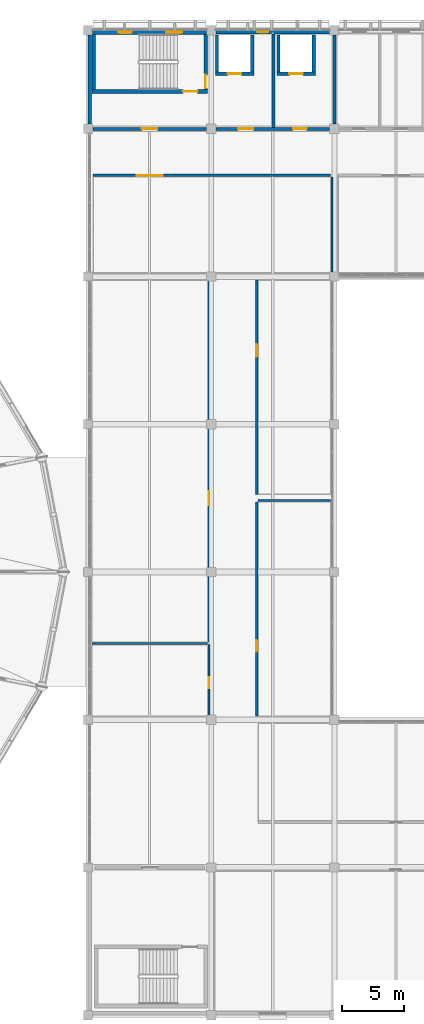
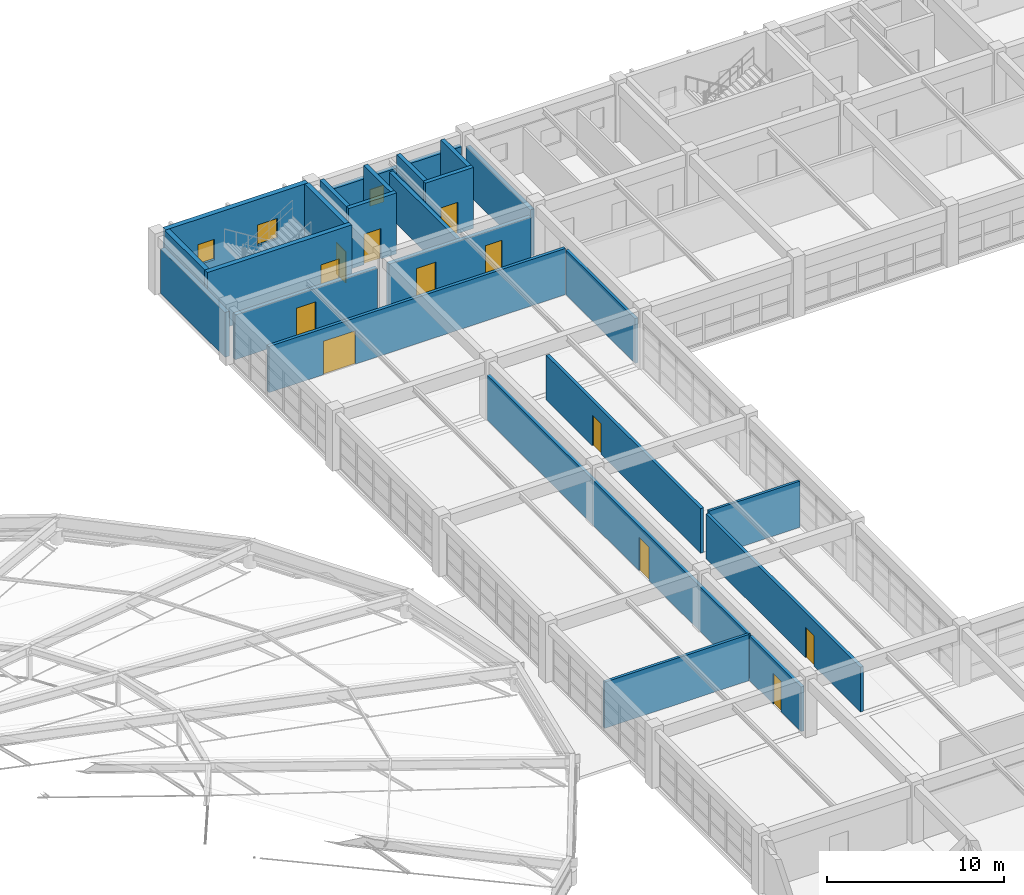
# One storey, part 70 of 83: 24 walls, 12 doors, 3 windows, 15 openings.
"""IFC4 building model written with IfcOpenShell, lengths in metres."""

from ifc_helpers import new_model, si_unit, direction, frame, frame_2d, origin, place, context, subcontext, project, spatial, rectangle, extrude, material, layer, layer_set, type_object, element, fill, save


model = new_model("IFC4")

# Units and contexts
model_context = context("Model", 3, precision=1e-05, world=origin(), true_north=direction((0.0, 1.0)))
body_context = subcontext(model_context, "Body", "Model", "MODEL_VIEW")
ifc_project = project(units=[si_unit("LENGTHUNIT", "METRE"), si_unit("AREAUNIT", "SQUARE_METRE"), si_unit("VOLUMEUNIT", "CUBIC_METRE"), si_unit("PLANEANGLEUNIT", "RADIAN"), si_unit("MASSUNIT", "GRAM", prefix="KILO")], contexts=[model_context])

# Site, building, storey
site_placement = place(None, origin())
site = spatial("IfcSite", under=ifc_project, at=site_placement, CompositionType="ELEMENT")
building_placement = place(site_placement, origin())
building = spatial("IfcBuilding", under=site, at=building_placement, Name="Kivolera Central Railway Station", CompositionType="ELEMENT")
storey_placement = place(building_placement, frame((0.0, 0.0, 14.39990234375)))
storey = spatial("IfcBuildingStorey", under=building, at=storey_placement, Name="L03", CompositionType="ELEMENT", Elevation=14.39990234375)

# Wall, opening, door
ifc_material_1 = material(Name="Swahili coral limestone", Category="masonry")
ifc_layer_1 = layer(ifc_material_1, 0.199951171875, Name="Swahili coral limestone")
ifc_layer_set_1 = layer_set([ifc_layer_1], Name="Swahili coral limestone")
wall_type_1 = type_object("IfcWallType", Name="WL-COR-200", PredefinedType="PARTITIONING", material=ifc_layer_set_1)
wall_1_placement = place(storey_placement, frame((118.39990234375, 122.219970703125, 0.0), z_axis=(0.0, 0.0, 1.0), x_axis=(1.0, 0.0, 0.0)))
wall_1 = element("IfcWall", 1, at=wall_1_placement, inside=storey, type_object=wall_type_1, Name="L03 Kivolera Civic Community Meeting Room Corridor Wall", PredefinedType="PARTITIONING", context=body_context, shape_type="SweptSolid", body=[
    extrude(rectangle(XDim=19.300048828125, YDim=0.199951171875, at=frame_2d((9.64990234375, 0.0))), origin(), (0.0, 0.0, 1.0), 3.177978515625),
])
opening_1_placement = place(wall_1_placement, frame((3.550048828125, 0.0, 0.0)))
opening_1 = element("IfcOpeningElement", 2, at=opening_1_placement, cuts=wall_1, Name="Opening D-DB-07", PredefinedType="OPENING", context=body_context, shape_type="SweptSolid", body=[
    extrude(rectangle(XDim=2.10009765625, YDim=2.300048828125, at=frame_2d((1.050048828125, 1.14990234375))), frame((0.0, 0.10986328125, 0.0), z_axis=(0.0, -1.0, 0.0), x_axis=(1.0, 0.0, 0.0)), (0.0, 0.0, 1.0), 0.219970703125),
])
ifc_material_2 = material(Name="Anodised aluminium", Category="aluminium")
door_type_1 = type_object("IfcDoorType", Name="DR-D-DB-07", OperationType="NOTDEFINED", PredefinedType="DOOR", material=ifc_material_2)
door_1_placement = place(opening_1_placement, origin())
door_1 = element("IfcDoor", 3, at=door_1_placement, inside=storey, type_object=door_type_1, Name="L03 Kivolera Civic Community Meeting Room Door", OperationType="DOUBLE_DOOR_SINGLE_SWING", OverallHeight=2.300048828125, OverallWidth=2.10009765625, PredefinedType="DOOR", context=body_context, shape_type="SweptSolid", body=[
    extrude(rectangle(XDim=2.10009765625, YDim=2.300048828125, at=frame_2d((1.050048828125, 1.14990234375))), frame((0.0, 0.02490234375, 0.0), z_axis=(0.0, -1.0, 0.0), x_axis=(1.0, 0.0, 0.0)), (0.0, 0.0, 1.0), 0.050048828125),
])
fill(opening_1, door_1)

wall_2_placement = place(storey_placement, frame((127.820068359375, 84.300048828125, 0.0), z_axis=(0.0, 0.0, 1.0), x_axis=(0.0, 1.0, 0.0)))
wall_2 = element("IfcWall", 4, at=wall_2_placement, inside=storey, type_object=wall_type_1, Name="L03 Passenger Quiet Reading Lounge Corridor Wall", PredefinedType="PARTITIONING", context=body_context, shape_type="SweptSolid", body=[
    extrude(rectangle(XDim=29.39990234375, YDim=0.199951171875, at=frame_2d((14.699951171875, 0.0))), origin(), (0.0, 0.0, 1.0), 3.078125),
])
opening_2_placement = place(wall_2_placement, frame((11.125, 0.0, 0.0)))
opening_2 = element("IfcOpeningElement", 5, at=opening_2_placement, cuts=wall_2, Name="Opening D-SG-15", PredefinedType="OPENING", context=body_context, shape_type="SweptSolid", body=[
    extrude(rectangle(XDim=1.14990234375, YDim=2.300048828125, at=frame_2d((0.574951171875, 1.14990234375))), frame((0.0, 0.10986328125, 0.0), z_axis=(0.0, -1.0, 0.0), x_axis=(1.0, 0.0, 0.0)), (0.0, 0.0, 1.0), 0.219970703125),
])
ifc_material_3 = material(Name="Hardwood mvule timber", Category="wood")
door_type_2 = type_object("IfcDoorType", Name="DR-D-SG-15", OperationType="NOTDEFINED", PredefinedType="DOOR", material=ifc_material_3)
door_2_placement = place(opening_2_placement, origin())
door_2 = element("IfcDoor", 6, at=door_2_placement, inside=storey, type_object=door_type_2, Name="L03 Passenger Quiet Reading Lounge Door", OperationType="SINGLE_SWING_RIGHT", OverallHeight=2.300048828125, OverallWidth=1.14990234375, PredefinedType="DOOR", context=body_context, shape_type="SweptSolid", body=[
    extrude(rectangle(XDim=1.14990234375, YDim=2.300048828125, at=frame_2d((0.574951171875, 1.14990234375))), frame((0.0, 0.02490234375, 0.0), z_axis=(0.0, -1.0, 0.0), x_axis=(1.0, 0.0, 0.0)), (0.0, 0.0, 1.0), 0.050048828125),
])
fill(opening_2, door_2)

wall_3_placement = place(storey_placement, frame((127.820068359375, 78.300048828125, 0.0), z_axis=(0.0, 0.0, 1.0), x_axis=(0.0, 1.0, 0.0)))
wall_3 = element("IfcWall", 7, at=wall_3_placement, inside=storey, type_object=wall_type_1, Name="L03 Civic Refreshment Pantry Cafe Corridor Wall", PredefinedType="PARTITIONING", context=body_context, shape_type="SweptSolid", body=[
    extrude(rectangle(XDim=5.800048828125, YDim=0.199951171875, at=frame_2d((2.89990234375, 0.0))), origin(), (0.0, 0.0, 1.0), 3.078125),
])
opening_3_placement = place(wall_3_placement, frame((2.25, 0.0, 0.0)))
opening_3 = element("IfcOpeningElement", 8, at=opening_3_placement, cuts=wall_3, Name="Opening D-SG-01", PredefinedType="OPENING", context=body_context, shape_type="SweptSolid", body=[
    extrude(rectangle(XDim=0.89990234375, YDim=2.10009765625, at=frame_2d((0.449951171875, 1.050048828125))), frame((0.0, 0.10986328125, 0.0), z_axis=(0.0, -1.0, 0.0), x_axis=(1.0, 0.0, 0.0)), (0.0, 0.0, 1.0), 0.219970703125),
])
door_type_3 = type_object("IfcDoorType", Name="DR-D-SG-01", OperationType="NOTDEFINED", PredefinedType="DOOR", material=ifc_material_3)
door_3_placement = place(opening_3_placement, origin())
door_3 = element("IfcDoor", 9, at=door_3_placement, inside=storey, type_object=door_type_3, Name="L03 Civic Refreshment Pantry Cafe Door", OperationType="SINGLE_SWING_LEFT", OverallHeight=2.10009765625, OverallWidth=0.89990234375, PredefinedType="DOOR", context=body_context, shape_type="SweptSolid", body=[
    extrude(rectangle(XDim=0.89990234375, YDim=2.10009765625, at=frame_2d((0.449951171875, 1.050048828125))), frame((0.0, 0.02490234375, 0.0), z_axis=(0.0, -1.0, 0.0), x_axis=(1.0, 0.0, 0.0)), (0.0, 0.0, 1.0), 0.050048828125),
])
fill(opening_3, door_3)

wall_4_placement = place(storey_placement, frame((131.679931640625, 78.300048828125, 0.0), z_axis=(0.0, 0.0, 1.0), x_axis=(0.0, 1.0, 0.0)))
wall_4 = element("IfcWall", 10, at=wall_4_placement, inside=storey, type_object=wall_type_1, Name="L03 Community Workshop Studio Corridor Wall", PredefinedType="PARTITIONING", context=body_context, shape_type="SweptSolid", body=[
    extrude(rectangle(XDim=17.39990234375, YDim=0.199951171875, at=frame_2d((8.699951171875, 0.0))), origin(), (0.0, 0.0, 1.0), 3.078125),
])
opening_4_placement = place(wall_4_placement, frame((5.22509765625, 0.0, 0.0)))
opening_4 = element("IfcOpeningElement", 11, at=opening_4_placement, cuts=wall_4, Name="Opening D-SG-02", PredefinedType="OPENING", context=body_context, shape_type="SweptSolid", body=[
    extrude(rectangle(XDim=0.949951171875, YDim=2.10009765625, at=frame_2d((0.47509765625, 1.050048828125))), frame((0.0, 0.10986328125, 0.0), z_axis=(0.0, -1.0, 0.0), x_axis=(1.0, 0.0, 0.0)), (0.0, 0.0, 1.0), 0.219970703125),
])
door_type_4 = type_object("IfcDoorType", Name="DR-D-SG-02", OperationType="NOTDEFINED", PredefinedType="DOOR", material=ifc_material_3)
door_4_placement = place(opening_4_placement, origin())
door_4 = element("IfcDoor", 12, at=door_4_placement, inside=storey, type_object=door_type_4, Name="L03 Community Workshop Studio Door", OperationType="SINGLE_SWING_RIGHT", OverallHeight=2.10009765625, OverallWidth=0.949951171875, PredefinedType="DOOR", context=body_context, shape_type="SweptSolid", body=[
    extrude(rectangle(XDim=0.949951171875, YDim=2.10009765625, at=frame_2d((0.47509765625, 1.050048828125))), frame((0.0, 0.02490234375, 0.0), z_axis=(0.0, -1.0, 0.0), x_axis=(1.0, 0.0, 0.0)), (0.0, 0.0, 1.0), 0.050048828125),
])
fill(opening_4, door_4)

wall_5_placement = place(storey_placement, frame((131.679931640625, 96.300048828125, 0.0), z_axis=(0.0, 0.0, 1.0), x_axis=(0.0, 1.0, 0.0)))
wall_5 = element("IfcWall", 13, at=wall_5_placement, inside=storey, type_object=wall_type_1, Name="L03 Urban Mobility Seminar Classroom Corridor Wall", PredefinedType="PARTITIONING", context=body_context, shape_type="SweptSolid", body=[
    extrude(rectangle(XDim=17.39990234375, YDim=0.199951171875, at=frame_2d((8.699951171875, 0.0))), origin(), (0.0, 0.0, 1.0), 3.078125),
])
opening_5_placement = place(wall_5_placement, frame((11.199951171875, 0.0, 0.0)))
opening_5 = element("IfcOpeningElement", 14, at=opening_5_placement, cuts=wall_5, Name="Opening D-SG-03", PredefinedType="OPENING", context=body_context, shape_type="SweptSolid", body=[
    extrude(rectangle(XDim=1.0, YDim=2.10009765625, at=frame_2d((0.5, 1.050048828125))), frame((0.0, 0.10986328125, 0.0), z_axis=(0.0, -1.0, 0.0), x_axis=(1.0, 0.0, 0.0)), (0.0, 0.0, 1.0), 0.219970703125),
])
door_type_5 = type_object("IfcDoorType", Name="DR-D-SG-03", OperationType="NOTDEFINED", PredefinedType="DOOR", material=ifc_material_3)
door_5_placement = place(opening_5_placement, origin())
door_5 = element("IfcDoor", 15, at=door_5_placement, inside=storey, type_object=door_type_5, Name="L03 Urban Mobility Seminar Classroom Door", OperationType="SINGLE_SWING_LEFT", OverallHeight=2.10009765625, OverallWidth=1.0, PredefinedType="DOOR", context=body_context, shape_type="SweptSolid", body=[
    extrude(rectangle(XDim=1.0, YDim=2.10009765625, at=frame_2d((0.5, 1.050048828125))), frame((0.0, 0.02490234375, 0.0), z_axis=(0.0, -1.0, 0.0), x_axis=(1.0, 0.0, 0.0)), (0.0, 0.0, 1.0), 0.050048828125),
])
fill(opening_5, door_5)

ifc_material_4 = material(Name="Concrete C40/50", Category="concrete")
ifc_layer_2 = layer(ifc_material_4, 0.300048828125, Name="Concrete C40/50")
ifc_layer_set_2 = layer_set([ifc_layer_2], Name="Concrete C40/50")
wall_type_2 = type_object("IfcWallType", Name="WL-CORE-300", PredefinedType="SHEAR", material=ifc_layer_set_2)
wall_6_placement = place(storey_placement, frame((127.699951171875, 129.030029296875, 0.0), z_axis=(0.0, 0.0, 1.0), x_axis=(-1.0, 0.0, 0.0)))
wall_6 = element("IfcWall", 16, at=wall_6_placement, inside=storey, type_object=wall_type_2, Name="L03 ST1 Core Right Shear Wall", PredefinedType="SHEAR", context=body_context, shape_type="SweptSolid", body=[
    extrude(rectangle(XDim=9.39990234375, YDim=0.300048828125, at=frame_2d((4.699951171875, 0.0))), origin(), (0.0, 0.0, 1.0), 4.2001953125),
])
opening_6_placement = place(wall_6_placement, frame((0.800048828125, 0.0, 0.0)))
opening_6 = element("IfcOpeningElement", 17, at=opening_6_placement, cuts=wall_6, Name="Opening D-STAIR-1200", PredefinedType="OPENING", context=body_context, shape_type="SweptSolid", body=[
    extrude(rectangle(XDim=1.199951171875, YDim=2.14990234375, at=frame_2d((0.60009765625, 1.074951171875))), frame((0.0, 0.159912109375, 0.0), z_axis=(0.0, -1.0, 0.0), x_axis=(1.0, 0.0, 0.0)), (0.0, 0.0, 1.0), 0.320068359375),
])
door_type_6 = type_object("IfcDoorType", Name="DR-D-STAIR-1200", OperationType="NOTDEFINED", PredefinedType="DOOR", material=ifc_material_3)
door_6_placement = place(opening_6_placement, origin())
door_6 = element("IfcDoor", 18, at=door_6_placement, inside=storey, type_object=door_type_6, Name="L03 ST1 Vestibule Fire Door", OperationType="SINGLE_SWING_LEFT", OverallHeight=2.14990234375, OverallWidth=1.199951171875, PredefinedType="DOOR", context=body_context, shape_type="SweptSolid", body=[
    extrude(rectangle(XDim=1.199951171875, YDim=2.14990234375, at=frame_2d((0.60009765625, 1.074951171875))), frame((0.0, 0.02490234375, 0.0), z_axis=(0.0, -1.0, 0.0), x_axis=(1.0, 0.0, 0.0)), (0.0, 0.0, 1.0), 0.050048828125),
])
fill(opening_6, door_6)

wall_7_placement = place(storey_placement, frame((127.550048828125, 133.679931640625, 0.0), z_axis=(0.0, 0.0, 1.0), x_axis=(0.0, -1.0, 0.0)))
wall_7 = element("IfcWall", 19, at=wall_7_placement, inside=storey, type_object=wall_type_2, Name="L03 ST1 Core Near Shear Wall", PredefinedType="SHEAR", context=body_context, shape_type="SweptSolid", body=[
    extrude(rectangle(XDim=4.5, YDim=0.300048828125, at=frame_2d((2.25, 0.0))), origin(), (0.0, 0.0, 1.0), 4.2001953125),
])
opening_7_placement = place(wall_7_placement, frame((3.300048828125, 0.0, 0.0)))
opening_7 = element("IfcOpeningElement", 20, at=opening_7_placement, cuts=wall_7, Name="Opening D-FFL-1100", PredefinedType="OPENING", context=body_context, shape_type="SweptSolid", body=[
    extrude(rectangle(XDim=1.10009765625, YDim=2.14990234375, at=frame_2d((0.550048828125, 1.074951171875))), frame((0.0, 0.159912109375, 0.0), z_axis=(0.0, -1.0, 0.0), x_axis=(1.0, 0.0, 0.0)), (0.0, 0.0, 1.0), 0.320068359375),
])
door_type_7 = type_object("IfcDoorType", Name="DR-D-FFL-1100", OperationType="NOTDEFINED", PredefinedType="DOOR", material=ifc_material_3)
door_7_placement = place(opening_7_placement, origin())
door_7 = element("IfcDoor", 21, at=door_7_placement, inside=storey, type_object=door_type_7, Name="L03 Firefighting Lobby to ST1 Fire Door", OperationType="SINGLE_SWING_RIGHT", OverallHeight=2.14990234375, OverallWidth=1.10009765625, PredefinedType="DOOR", context=body_context, shape_type="SweptSolid", body=[
    extrude(rectangle(XDim=1.10009765625, YDim=2.14990234375, at=frame_2d((0.550048828125, 1.074951171875))), frame((0.0, 0.02490234375, 0.0), z_axis=(0.0, -1.0, 0.0), x_axis=(1.0, 0.0, 0.0)), (0.0, 0.0, 1.0), 0.050048828125),
])
fill(opening_7, door_7)

# Wall
wall_8_placement = place(storey_placement, frame((118.449951171875, 129.179931640625, 0.0), z_axis=(0.0, 0.0, 1.0), x_axis=(0.0, 1.0, 0.0)))
element("IfcWall", 22, at=wall_8_placement, inside=storey, type_object=wall_type_2, Name="L03 ST1 Core Far Shear Wall", PredefinedType="SHEAR", context=body_context, shape_type="SweptSolid", body=[
    extrude(rectangle(XDim=4.5, YDim=0.300048828125, at=frame_2d((2.25, 0.0))), origin(), (0.0, 0.0, 1.0), 4.2001953125),
])

# Wall, openings, windows
ifc_layer_3 = layer(ifc_material_4, 0.320068359375, Name="Concrete C40/50")
ifc_layer_set_3 = layer_set([ifc_layer_3], Name="Concrete C40/50")
wall_type_3 = type_object("IfcWallType", Name="WL-CORE-EXT-320", PredefinedType="SHEAR", material=ifc_layer_set_3)
wall_9_placement = place(storey_placement, frame((118.3701171875, 133.840087890625, 0.0), z_axis=(0.0, 0.0, 1.0), x_axis=(1.0, 0.0, 0.0)))
wall_9 = element("IfcWall", 23, at=wall_9_placement, inside=storey, type_object=wall_type_3, Name="L03 North Street Facade Wall Bay 1", PredefinedType="SHEAR", context=body_context, shape_type="SweptSolid", body=[
    extrude(rectangle(XDim=9.259765625, YDim=0.320068359375, at=frame_2d((4.6298828125, 0.0))), origin(), (0.0, 0.0, 1.0), 4.2001953125),
])
opening_8_placement = place(wall_9_placement, frame((2.080078125, 0.0, 1.050048828125)))
opening_8 = element("IfcOpeningElement", 24, at=opening_8_placement, cuts=wall_9, Name="Opening WN-14", PredefinedType="OPENING", context=body_context, shape_type="SweptSolid", body=[
    extrude(rectangle(XDim=1.10009765625, YDim=1.39990234375, at=frame_2d((0.550048828125, 0.699951171875))), frame((0.0, 0.169921875, 0.0), z_axis=(0.0, -1.0, 0.0), x_axis=(1.0, 0.0, 0.0)), (0.0, 0.0, 1.0), 0.340087890625),
])
opening_9_placement = place(wall_9_placement, frame((5.97998046875, 0.0, 1.050048828125)))
opening_9 = element("IfcOpeningElement", 25, at=opening_9_placement, cuts=wall_9, Name="Opening WN-15", PredefinedType="OPENING", context=body_context, shape_type="SweptSolid", body=[
    extrude(rectangle(XDim=1.300048828125, YDim=1.39990234375, at=frame_2d((0.64990234375, 0.699951171875))), frame((0.0, 0.169921875, 0.0), z_axis=(0.0, -1.0, 0.0), x_axis=(1.0, 0.0, 0.0)), (0.0, 0.0, 1.0), 0.340087890625),
])
ifc_material_5 = material(Name="Double low-E laminated glass", Category="glass")
window_type_1 = type_object("IfcWindowType", Name="WIN-WN-14", PartitioningType="SINGLE_PANEL", PredefinedType="WINDOW", material=ifc_material_5)
window_1_placement = place(opening_8_placement, origin())
window_1 = element("IfcWindow", 26, at=window_1_placement, inside=storey, type_object=window_type_1, Name="L03 North Street Window Bay 1.1", OverallHeight=1.39990234375, OverallWidth=1.10009765625, PartitioningType="SINGLE_PANEL", PredefinedType="WINDOW", context=body_context, shape_type="SweptSolid", body=[
    extrude(rectangle(XDim=1.10009765625, YDim=1.39990234375, at=frame_2d((0.550048828125, 0.699951171875))), frame((0.0, 0.030029296875, 0.0), z_axis=(0.0, -1.0, 0.0), x_axis=(1.0, 0.0, 0.0)), (0.0, 0.0, 1.0), 0.06005859375),
])
fill(opening_8, window_1)
window_type_2 = type_object("IfcWindowType", Name="WIN-WN-15", PartitioningType="SINGLE_PANEL", PredefinedType="WINDOW", material=ifc_material_5)
window_2_placement = place(opening_9_placement, origin())
window_2 = element("IfcWindow", 27, at=window_2_placement, inside=storey, type_object=window_type_2, Name="L03 North Street Window Bay 1.2", OverallHeight=1.39990234375, OverallWidth=1.300048828125, PartitioningType="SINGLE_PANEL", PredefinedType="WINDOW", context=body_context, shape_type="SweptSolid", body=[
    extrude(rectangle(XDim=1.300048828125, YDim=1.39990234375, at=frame_2d((0.64990234375, 0.699951171875))), frame((0.0, 0.030029296875, 0.0), z_axis=(0.0, -1.0, 0.0), x_axis=(1.0, 0.0, 0.0)), (0.0, 0.0, 1.0), 0.06005859375),
])
fill(opening_9, window_2)

# Wall, opening, window
ifc_layer_4 = layer(ifc_material_1, 0.2900390625, Name="Swahili coral limestone")
ifc_layer_set_4 = layer_set([ifc_layer_4], Name="Swahili coral limestone")
wall_type_4 = type_object("IfcWallType", Name="WL-EXT-CORAL-290", PredefinedType="SOLIDWALL", material=ifc_layer_set_4)
wall_10_placement = place(storey_placement, frame((128.3701171875, 133.85498046875, 0.0), z_axis=(0.0, 0.0, 1.0), x_axis=(1.0, 0.0, 0.0)))
wall_10 = element("IfcWall", 28, at=wall_10_placement, inside=storey, type_object=wall_type_4, Name="L03 North Street Facade Wall Bay 2", PredefinedType="SOLIDWALL", context=body_context, shape_type="SweptSolid", body=[
    extrude(rectangle(XDim=9.259765625, YDim=0.2900390625, at=frame_2d((4.6298828125, 0.0))), origin(), (0.0, 0.0, 1.0), 3.177978515625),
])
opening_10_placement = place(wall_10_placement, frame((3.3798828125, 0.0, 1.050048828125)))
opening_10 = element("IfcOpeningElement", 29, at=opening_10_placement, cuts=wall_10, Name="Opening WN-01", PredefinedType="OPENING", context=body_context, shape_type="SweptSolid", body=[
    extrude(rectangle(XDim=0.89990234375, YDim=1.14990234375, at=frame_2d((0.449951171875, 0.574951171875))), frame((0.0, 0.155029296875, 0.0), z_axis=(0.0, -1.0, 0.0), x_axis=(1.0, 0.0, 0.0)), (0.0, 0.0, 1.0), 0.31005859375),
])
window_type_3 = type_object("IfcWindowType", Name="WIN-WN-01", PartitioningType="SINGLE_PANEL", PredefinedType="WINDOW", material=ifc_material_5)
window_3_placement = place(opening_10_placement, origin())
window_3 = element("IfcWindow", 30, at=window_3_placement, inside=storey, type_object=window_type_3, Name="L03 North Street Window Bay 2.1", OverallHeight=1.14990234375, OverallWidth=0.89990234375, PartitioningType="SINGLE_PANEL", PredefinedType="WINDOW", context=body_context, shape_type="SweptSolid", body=[
    extrude(rectangle(XDim=0.89990234375, YDim=1.14990234375, at=frame_2d((0.449951171875, 0.574951171875))), frame((0.0, 0.030029296875, 0.0), z_axis=(0.0, -1.0, 0.0), x_axis=(1.0, 0.0, 0.0)), (0.0, 0.0, 1.0), 0.06005859375),
])
fill(opening_10, window_3)

# Wall
wall_11_placement = place(storey_placement, frame((118.14501953125, 126.3701171875, 0.0), z_axis=(0.0, 0.0, 1.0), x_axis=(0.0, 1.0, 0.0)))
element("IfcWall", 31, at=wall_11_placement, inside=storey, type_object=wall_type_4, Name="L03 West Facade Wall L-M", PredefinedType="SOLIDWALL", context=body_context, shape_type="SweptSolid", body=[
    extrude(rectangle(XDim=7.259765625, YDim=0.2900390625, at=frame_2d((3.6298828125, 0.0))), origin(), (0.0, 0.0, 1.0), 3.078125),
])

# Wall, opening, door
ifc_layer_5 = layer(ifc_material_4, 0.25, Name="Concrete C40/50")
ifc_layer_set_5 = layer_set([ifc_layer_5], Name="Concrete C40/50")
wall_type_5 = type_object("IfcWallType", Name="WL-FFL-250", PredefinedType="PARTITIONING", material=ifc_layer_set_5)
wall_12_placement = place(storey_placement, frame((118.3798828125, 126.0, 0.0), z_axis=(0.0, 0.0, 1.0), x_axis=(1.0, 0.0, 0.0)))
wall_12 = element("IfcWall", 32, at=wall_12_placement, inside=storey, type_object=wall_type_5, Name="L03 North Core Corridor Wall 118", PredefinedType="PARTITIONING", context=body_context, shape_type="SweptSolid", body=[
    extrude(rectangle(XDim=9.240234375, YDim=0.25, at=frame_2d((4.6201171875, 0.0))), origin(), (0.0, 0.0, 1.0), 3.078125),
])
opening_11_placement = place(wall_12_placement, frame((3.9951171875, 0.0, 0.0)))
opening_11 = element("IfcOpeningElement", 33, at=opening_11_placement, cuts=wall_12, Name="Opening D-FFL-1250", PredefinedType="OPENING", context=body_context, shape_type="SweptSolid", body=[
    extrude(rectangle(XDim=1.25, YDim=2.14990234375, at=frame_2d((0.625, 1.074951171875))), frame((0.0, 0.135009765625, 0.0), z_axis=(0.0, -1.0, 0.0), x_axis=(1.0, 0.0, 0.0)), (0.0, 0.0, 1.0), 0.27001953125),
])
door_type_8 = type_object("IfcDoorType", Name="DR-D-FFL-1250", OperationType="NOTDEFINED", PredefinedType="DOOR", material=ifc_material_3)
door_8_placement = place(opening_11_placement, origin())
door_8 = element("IfcDoor", 34, at=door_8_placement, inside=storey, type_object=door_type_8, Name="L03 ST1 Vestibule Corridor Door", OperationType="SINGLE_SWING_RIGHT", OverallHeight=2.14990234375, OverallWidth=1.25, PredefinedType="DOOR", context=body_context, shape_type="SweptSolid", body=[
    extrude(rectangle(XDim=1.25, YDim=2.14990234375, at=frame_2d((0.625, 1.074951171875))), frame((0.0, 0.02490234375, 0.0), z_axis=(0.0, -1.0, 0.0), x_axis=(1.0, 0.0, 0.0)), (0.0, 0.0, 1.0), 0.050048828125),
])
fill(opening_11, door_8)

# Wall, openings, doors
wall_13_placement = place(storey_placement, frame((128.3798828125, 126.0, 0.0), z_axis=(0.0, 0.0, 1.0), x_axis=(1.0, 0.0, 0.0)))
wall_13 = element("IfcWall", 35, at=wall_13_placement, inside=storey, type_object=wall_type_5, Name="L03 North Core Corridor Wall 128", PredefinedType="PARTITIONING", context=body_context, shape_type="SweptSolid", body=[
    extrude(rectangle(XDim=9.240234375, YDim=0.25, at=frame_2d((4.6201171875, 0.0))), origin(), (0.0, 0.0, 1.0), 3.078125),
])
opening_12_placement = place(wall_13_placement, frame((1.794921875, 0.0, 0.0)))
opening_12 = element("IfcOpeningElement", 36, at=opening_12_placement, cuts=wall_13, Name="Opening D-FFL-1250", PredefinedType="OPENING", context=body_context, shape_type="SweptSolid", body=[
    extrude(rectangle(XDim=1.25, YDim=2.14990234375, at=frame_2d((0.625, 1.074951171875))), frame((0.0, 0.135009765625, 0.0), z_axis=(0.0, -1.0, 0.0), x_axis=(1.0, 0.0, 0.0)), (0.0, 0.0, 1.0), 0.27001953125),
])
opening_13_placement = place(wall_13_placement, frame((6.27001953125, 0.0, 0.0)))
opening_13 = element("IfcOpeningElement", 37, at=opening_13_placement, cuts=wall_13, Name="Opening D-FFL-1100", PredefinedType="OPENING", context=body_context, shape_type="SweptSolid", body=[
    extrude(rectangle(XDim=1.10009765625, YDim=2.14990234375, at=frame_2d((0.550048828125, 1.074951171875))), frame((0.0, 0.135009765625, 0.0), z_axis=(0.0, -1.0, 0.0), x_axis=(1.0, 0.0, 0.0)), (0.0, 0.0, 1.0), 0.27001953125),
])
door_9_placement = place(opening_13_placement, origin())
door_9 = element("IfcDoor", 38, at=door_9_placement, inside=storey, type_object=door_type_7, Name="L03 PL1 Lift Lobby Door", OperationType="SINGLE_SWING_RIGHT", OverallHeight=2.14990234375, OverallWidth=1.10009765625, PredefinedType="DOOR", context=body_context, shape_type="SweptSolid", body=[
    extrude(rectangle(XDim=1.10009765625, YDim=2.14990234375, at=frame_2d((0.550048828125, 1.074951171875))), frame((0.0, 0.02490234375, 0.0), z_axis=(0.0, -1.0, 0.0), x_axis=(1.0, 0.0, 0.0)), (0.0, 0.0, 1.0), 0.050048828125),
])
fill(opening_13, door_9)
door_10_placement = place(opening_12_placement, origin())
door_10 = element("IfcDoor", 39, at=door_10_placement, inside=storey, type_object=door_type_8, Name="L03 FL1 Firefighting Lobby Corridor Fire Door", OperationType="SINGLE_SWING_LEFT", OverallHeight=2.14990234375, OverallWidth=1.25, PredefinedType="DOOR", context=body_context, shape_type="SweptSolid", body=[
    extrude(rectangle(XDim=1.25, YDim=2.14990234375, at=frame_2d((0.625, 1.074951171875))), frame((0.0, 0.02490234375, 0.0), z_axis=(0.0, -1.0, 0.0), x_axis=(1.0, 0.0, 0.0)), (0.0, 0.0, 1.0), 0.050048828125),
])
fill(opening_12, door_10)

# Walls
wall_14_placement = place(storey_placement, frame((133.050048828125, 126.125, 0.0), z_axis=(0.0, 0.0, 1.0), x_axis=(0.0, 1.0, 0.0)))
element("IfcWall", 40, at=wall_14_placement, inside=storey, type_object=wall_type_5, Name="L03 North Core Partition FFL1-DIV", PredefinedType="PARTITIONING", context=body_context, shape_type="SweptSolid", body=[
    extrude(rectangle(XDim=7.5849609375, YDim=0.25, at=frame_2d((3.79248046875, 0.0))), origin(), (0.0, 0.0, 1.0), 3.078125),
])
wall_15_placement = place(storey_placement, frame((138.0, 126.3798828125, 0.0), z_axis=(0.0, 0.0, 1.0), x_axis=(0.0, 1.0, 0.0)))
element("IfcWall", 41, at=wall_15_placement, inside=storey, type_object=wall_type_5, Name="L03 North Core Partition GRID-138", PredefinedType="PARTITIONING", context=body_context, shape_type="SweptSolid", body=[
    extrude(rectangle(XDim=7.240234375, YDim=0.25, at=frame_2d((3.6201171875, 0.0))), origin(), (0.0, 0.0, 1.0), 3.177978515625),
])
ifc_material_6 = material(Name="Gypsum plasterboard steel-stud partition")
ifc_layer_6 = layer(ifc_material_6, 0.1650390625, Name="Gypsum plasterboard steel-stud partition")
ifc_layer_set_6 = layer_set([ifc_layer_6], Name="Gypsum plasterboard steel-stud partition")
wall_type_6 = type_object("IfcWallType", Name="WL-PRT-165", PredefinedType="PARTITIONING", material=ifc_layer_set_6)
wall_16_placement = place(storey_placement, frame((131.800048828125, 95.800048828125, 0.0), z_axis=(0.0, 0.0, 1.0), x_axis=(1.0, 0.0, 0.0)))
element("IfcWall", 42, at=wall_16_placement, inside=storey, type_object=wall_type_6, Name="L03 Community Workshop Studio Partition Wall", PredefinedType="PARTITIONING", context=body_context, shape_type="SweptSolid", body=[
    extrude(rectangle(XDim=5.89990234375, YDim=0.1650390625, at=frame_2d((2.949951171875, 0.0))), origin(), (0.0, 0.0, 1.0), 3.177978515625),
])
ifc_layer_7 = layer(ifc_material_6, 0.179931640625, Name="Gypsum plasterboard steel-stud partition")
ifc_layer_set_7 = layer_set([ifc_layer_7], Name="Gypsum plasterboard steel-stud partition")
wall_type_7 = type_object("IfcWallType", Name="WL-PRT-180", PredefinedType="PARTITIONING", material=ifc_layer_set_7)
wall_17_placement = place(storey_placement, frame((137.800048828125, 114.300048828125, 0.0), z_axis=(0.0, 0.0, 1.0), x_axis=(0.0, 1.0, 0.0)))
element("IfcWall", 43, at=wall_17_placement, inside=storey, type_object=wall_type_7, Name="L03 Kivolera Civic Community Meeting Room Partition Wall", PredefinedType="PARTITIONING", context=body_context, shape_type="SweptSolid", body=[
    extrude(rectangle(XDim=7.800048828125, YDim=0.179931640625, at=frame_2d((3.89990234375, 0.0))), origin(), (0.0, 0.0, 1.0), 3.078125),
])
wall_18_placement = place(storey_placement, frame((118.300048828125, 84.199951171875, 0.0), z_axis=(0.0, 0.0, 1.0), x_axis=(1.0, 0.0, 0.0)))
element("IfcWall", 44, at=wall_18_placement, inside=storey, type_object=wall_type_7, Name="L03 Civic Refreshment Pantry Cafe Partition Wall", PredefinedType="PARTITIONING", context=body_context, shape_type="SweptSolid", body=[
    extrude(rectangle(XDim=9.39990234375, YDim=0.179931640625, at=frame_2d((4.699951171875, 0.0))), origin(), (0.0, 0.0, 1.0), 3.177978515625),
])

# Wall, opening, door
ifc_layer_8 = layer(ifc_material_4, 0.260009765625, Name="Concrete C40/50")
ifc_layer_set_8 = layer_set([ifc_layer_8], Name="Concrete C40/50")
wall_type_8 = type_object("IfcWallType", Name="WL-SHAFT-260", PredefinedType="SHEAR", material=ifc_layer_set_8)
wall_19_placement = place(storey_placement, frame((128.340087890625, 130.469970703125, 0.0), z_axis=(0.0, 0.0, 1.0), x_axis=(1.0, 0.0, 0.0)))
wall_19 = element("IfcWall", 45, at=wall_19_placement, inside=storey, type_object=wall_type_8, Name="L03 Lift FL1 Front Shaft Wall", PredefinedType="SHEAR", context=body_context, shape_type="SweptSolid", body=[
    extrude(rectangle(XDim=3.119873046875, YDim=0.260009765625, at=frame_2d((1.56005859375, 0.0))), origin(), (0.0, 0.0, 1.0), 4.2001953125),
])
opening_14_placement = place(wall_19_placement, frame((1.010009765625, 0.0, 0.0)))
opening_14 = element("IfcOpeningElement", 46, at=opening_14_placement, cuts=wall_19, Name="Opening LD-FFL-1100", PredefinedType="OPENING", context=body_context, shape_type="SweptSolid", body=[
    extrude(rectangle(XDim=1.10009765625, YDim=2.10009765625, at=frame_2d((0.550048828125, 1.050048828125))), frame((0.0, 0.139892578125, 0.0), z_axis=(0.0, -1.0, 0.0), x_axis=(1.0, 0.0, 0.0)), (0.0, 0.0, 1.0), 0.280029296875),
])
door_type_9 = type_object("IfcDoorType", Name="DR-LD-FFL-1100", OperationType="NOTDEFINED", PredefinedType="DOOR", material=ifc_material_2)
door_11_placement = place(opening_14_placement, origin())
door_11 = element("IfcDoor", 47, at=door_11_placement, inside=storey, type_object=door_type_9, Name="L03 Lift FL1 Sliding Landing Door", OperationType="SLIDING_TO_LEFT", OverallHeight=2.10009765625, OverallWidth=1.10009765625, PredefinedType="DOOR", context=body_context, shape_type="SweptSolid", body=[
    extrude(rectangle(XDim=1.10009765625, YDim=2.10009765625, at=frame_2d((0.550048828125, 1.050048828125))), frame((0.0, 0.02490234375, 0.0), z_axis=(0.0, -1.0, 0.0), x_axis=(1.0, 0.0, 0.0)), (0.0, 0.0, 1.0), 0.050048828125),
])
fill(opening_14, door_11)

# Walls
for number, where, z_axis, x_axis, name in (
    (48, (128.469970703125, 130.60009765625, 0.0), (0.0, 0.0, 1.0), (0.0, 1.0, 0.0), "L03 Lift FL1 West Shaft Wall"),
    (49, (131.330078125, 130.60009765625, 0.0), (0.0, 0.0, 1.0), (0.0, 1.0, 0.0), "L03 Lift FL1 East Shaft Wall"),
):
    element("IfcWall", number, at=place(storey_placement, frame(where, z_axis=z_axis, x_axis=x_axis)), inside=storey, type_object=wall_type_8, Name=name, PredefinedType="SHEAR", context=body_context, shape_type="SweptSolid", body=[
        extrude(rectangle(XDim=3.0, YDim=0.260009765625, at=frame_2d((1.5, 0.0))), origin(), (0.0, 0.0, 1.0), 4.2001953125),
    ])

# Wall, opening, door
wall_20_placement = place(storey_placement, frame((133.340087890625, 130.469970703125, 0.0), z_axis=(0.0, 0.0, 1.0), x_axis=(1.0, 0.0, 0.0)))
wall_20 = element("IfcWall", 50, at=wall_20_placement, inside=storey, type_object=wall_type_8, Name="L03 Lift PL1 Front Shaft Wall", PredefinedType="SHEAR", context=body_context, shape_type="SweptSolid", body=[
    extrude(rectangle(XDim=3.119873046875, YDim=0.260009765625, at=frame_2d((1.56005859375, 0.0))), origin(), (0.0, 0.0, 1.0), 4.2001953125),
])
opening_15_placement = place(wall_20_placement, frame((1.010009765625, 0.0, 0.0)))
opening_15 = element("IfcOpeningElement", 51, at=opening_15_placement, cuts=wall_20, Name="Opening LD-PAX-1100", PredefinedType="OPENING", context=body_context, shape_type="SweptSolid", body=[
    extrude(rectangle(XDim=1.10009765625, YDim=2.14990234375, at=frame_2d((0.550048828125, 1.074951171875))), frame((0.0, 0.139892578125, 0.0), z_axis=(0.0, -1.0, 0.0), x_axis=(1.0, 0.0, 0.0)), (0.0, 0.0, 1.0), 0.280029296875),
])
door_type_10 = type_object("IfcDoorType", Name="DR-LD-PAX-1100", OperationType="NOTDEFINED", PredefinedType="DOOR", material=ifc_material_2)
door_12_placement = place(opening_15_placement, origin())
door_12 = element("IfcDoor", 52, at=door_12_placement, inside=storey, type_object=door_type_10, Name="L03 Lift PL1 Sliding Landing Door", OperationType="SLIDING_TO_LEFT", OverallHeight=2.14990234375, OverallWidth=1.10009765625, PredefinedType="DOOR", context=body_context, shape_type="SweptSolid", body=[
    extrude(rectangle(XDim=1.10009765625, YDim=2.14990234375, at=frame_2d((0.550048828125, 1.074951171875))), frame((0.0, 0.02490234375, 0.0), z_axis=(0.0, -1.0, 0.0), x_axis=(1.0, 0.0, 0.0)), (0.0, 0.0, 1.0), 0.050048828125),
])
fill(opening_15, door_12)

# Walls
for number, where, z_axis, x_axis, name in (
    (53, (133.469970703125, 130.60009765625, 0.0), (0.0, 0.0, 1.0), (0.0, 1.0, 0.0), "L03 Lift PL1 West Shaft Wall"),
    (54, (136.330078125, 130.60009765625, 0.0), (0.0, 0.0, 1.0), (0.0, 1.0, 0.0), "L03 Lift PL1 East Shaft Wall"),
):
    element("IfcWall", number, at=place(storey_placement, frame(where, z_axis=z_axis, x_axis=x_axis)), inside=storey, type_object=wall_type_8, Name=name, PredefinedType="SHEAR", context=body_context, shape_type="SweptSolid", body=[
        extrude(rectangle(XDim=3.0, YDim=0.260009765625, at=frame_2d((1.5, 0.0))), origin(), (0.0, 0.0, 1.0), 4.2001953125),
    ])

save(model, "model.ifc")
